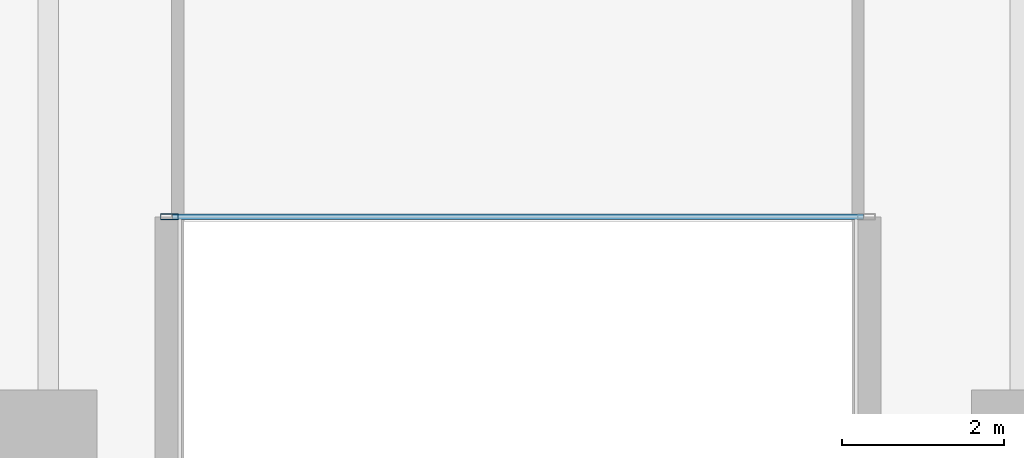
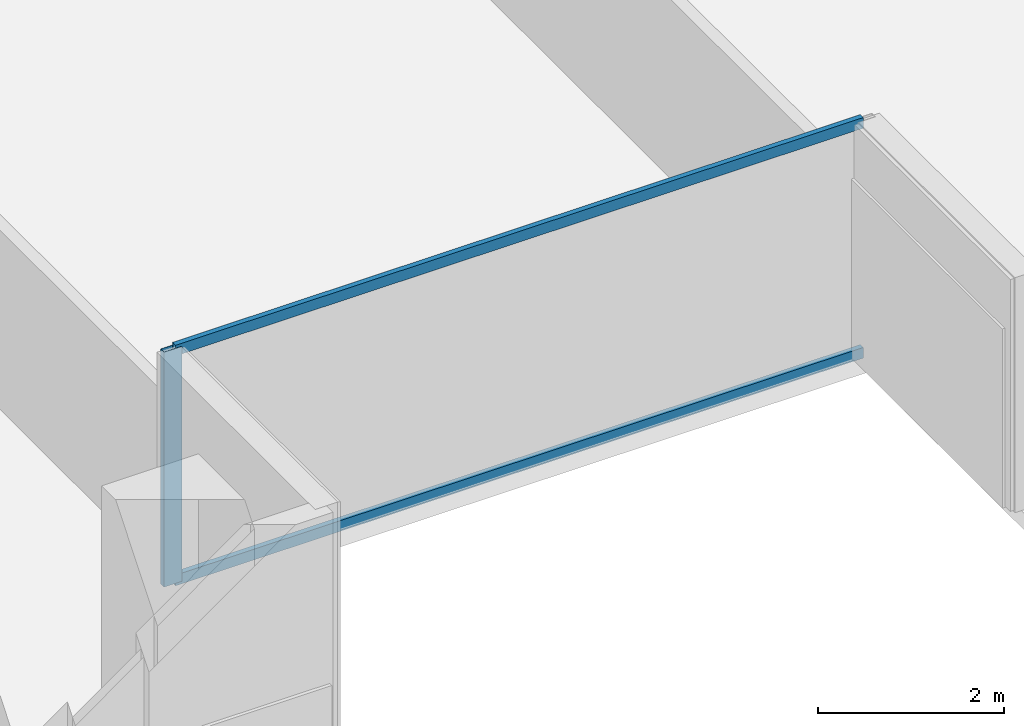
# One storey, part 2 of 26: 3 members, 1 element without a shape of its own.
"""IFC4 building model written with IfcOpenShell, lengths in metres."""

from ifc_helpers import new_model, si_unit, direction, frame, origin, origin_2d, place, context, subcontext, project, spatial, hollow_rectangle, extrude, material, layer, layer_set, material_profile, profile_set, type_object, element, aggregate, save


model = new_model("IFC4")

# Units and contexts
model_context = context("Model", 3, precision=1e-05, world=origin(), true_north=direction((0.0, 1.0)))
body_context = subcontext(model_context, "Body", "Model", "MODEL_VIEW")
ifc_project = project(units=[si_unit("LENGTHUNIT", "METRE"), si_unit("AREAUNIT", "SQUARE_METRE"), si_unit("VOLUMEUNIT", "CUBIC_METRE"), si_unit("PLANEANGLEUNIT", "RADIAN"), si_unit("MASSUNIT", "GRAM", prefix="KILO")], contexts=[model_context])

# Site, building, storey
site_placement = place(None, origin())
site = spatial("IfcSite", under=ifc_project, at=site_placement, CompositionType="ELEMENT")
building_placement = place(site_placement, origin())
building = spatial("IfcBuilding", under=site, at=building_placement, Name="Tanjung Sevakor Pilgrim Tower", CompositionType="ELEMENT")
storey_placement = place(building_placement, frame((0.0, 0.0, 48.840087890625)))
storey = spatial("IfcBuildingStorey", under=building, at=storey_placement, Name="L13", CompositionType="ELEMENT", Elevation=48.840087890625)

# Curtain wall, members
ifc_material_1 = material(Name="Aluminium 6063-T6 and Low-E Glass", Category="aluminium")
ifc_layer = layer(ifc_material_1, 0.179931640625)
ifc_layer_set = layer_set([ifc_layer], Name="CW-SYS-CLEFT")
curtain_wall_type = type_object("IfcCurtainWallType", Name="CW-SYS-CLEFT", PredefinedType="NOTDEFINED", material=ifc_layer_set)
curtain_wall_placement = place(storey_placement, origin())
curtain_wall = element("IfcCurtainWall", 1, at=curtain_wall_placement, inside=storey, type_object=curtain_wall_type, Name="L13 Curtain Wall CW-CLF-L13-2", PredefinedType="NOTDEFINED")
ifc_material_2 = material(Name="Aluminium 6063-T6", Category="aluminium")
ifc_material_profile_1 = material_profile(ifc_material_2, hollow_rectangle(XDim=0.074951171875, YDim=0.219970703125, WallThickness=0.0048828125, at=origin_2d()))
ifc_profile_set_1 = profile_set([ifc_material_profile_1], Name="Aluminium 6063-T6")
member_type_1 = type_object("IfcMemberType", Name="TYPE-CWM-2", PredefinedType="MULLION", material=ifc_profile_set_1)
member_1_placement = place(storey_placement, frame((43.49755859375, 11.139892578125, 0.0), z_axis=(0.0, 0.0, 1.0), x_axis=(0.0, 1.0, 0.0)))
member_1 = element("IfcMember", 2, at=member_1_placement, type_object=member_type_1, Name="CW-CLF mullion 1", PredefinedType="MULLION", context=body_context, shape_type="SweptSolid", body=[
    extrude(hollow_rectangle(XDim=0.074951171875, YDim=0.219970703125, WallThickness=0.0048828125, at=origin_2d()), origin(), (0.0, 0.0, 1.0), 3.079833984375),
])
ifc_material_3 = material(Name="Aluminium 6063-T6", Category="aluminium")
ifc_material_profile_2 = material_profile(ifc_material_3, hollow_rectangle(XDim=0.06494140625, YDim=0.139892578125, WallThickness=0.00390625, at=origin_2d()))
ifc_profile_set_2 = profile_set([ifc_material_profile_2], Name="Aluminium 6063-T6")
member_type_2 = type_object("IfcMemberType", Name="TYPE-CWT-1", PredefinedType="USERDEFINED", material=ifc_profile_set_2)
member_2_placement = place(storey_placement, frame((43.534912109375, 11.139892578125, 0.032470703125), z_axis=(1.0, 0.0, 0.0), x_axis=(0.0, 1.0, 0.0)))
member_2 = element("IfcMember", 3, at=member_2_placement, type_object=member_type_2, Name="CW-CLF transom 1.1", ObjectType="TRANSOM", PredefinedType="USERDEFINED", context=body_context, shape_type="SweptSolid", body=[
    extrude(hollow_rectangle(XDim=0.06494140625, YDim=0.139892578125, WallThickness=0.00390625, at=origin_2d()), origin(), (0.0, 0.0, 1.0), 8.530029296875),
])
member_3_placement = place(storey_placement, frame((43.534912109375, 11.139892578125, 3.04736328125), z_axis=(1.0, 0.0, 0.0), x_axis=(0.0, 1.0, 0.0)))
member_3 = element("IfcMember", 4, at=member_3_placement, type_object=member_type_2, Name="CW-CLF transom 1.2", ObjectType="TRANSOM", PredefinedType="USERDEFINED", context=body_context, shape_type="SweptSolid", body=[
    extrude(hollow_rectangle(XDim=0.06494140625, YDim=0.139892578125, WallThickness=0.00390625, at=origin_2d()), origin(), (0.0, 0.0, 1.0), 8.530029296875),
])
aggregate(curtain_wall, [member_1, member_2, member_3])

save(model, "model.ifc")
